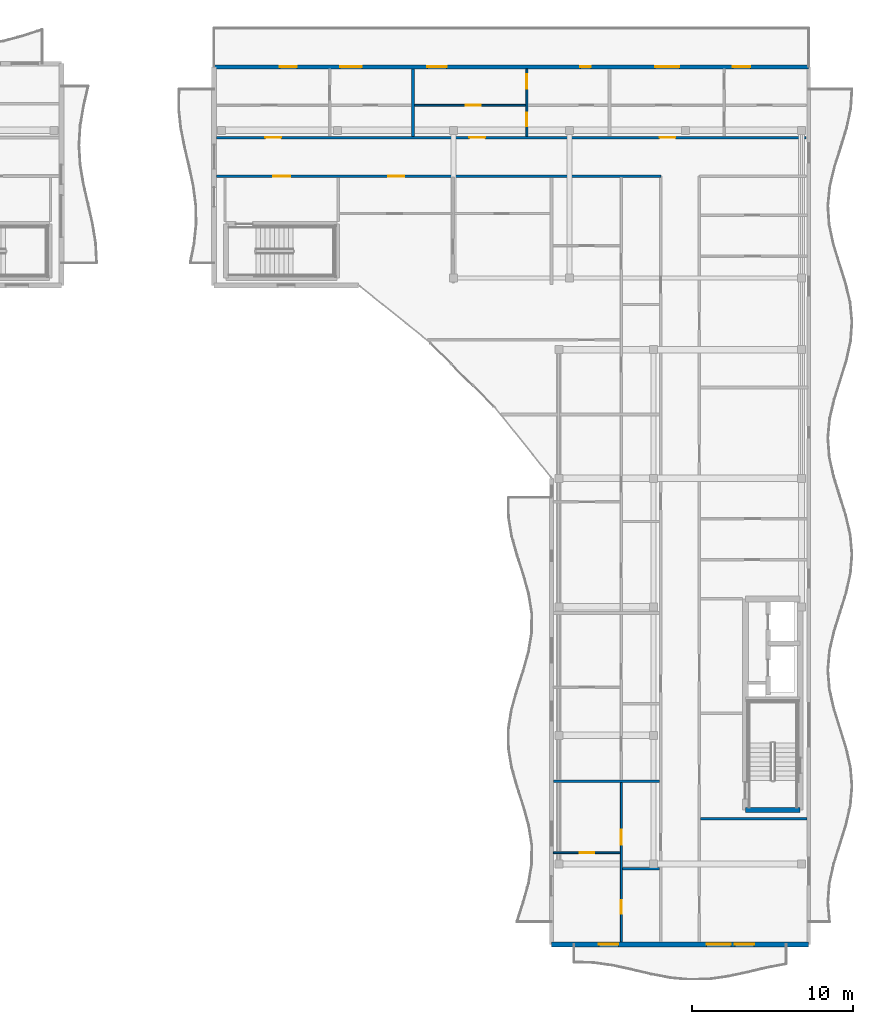
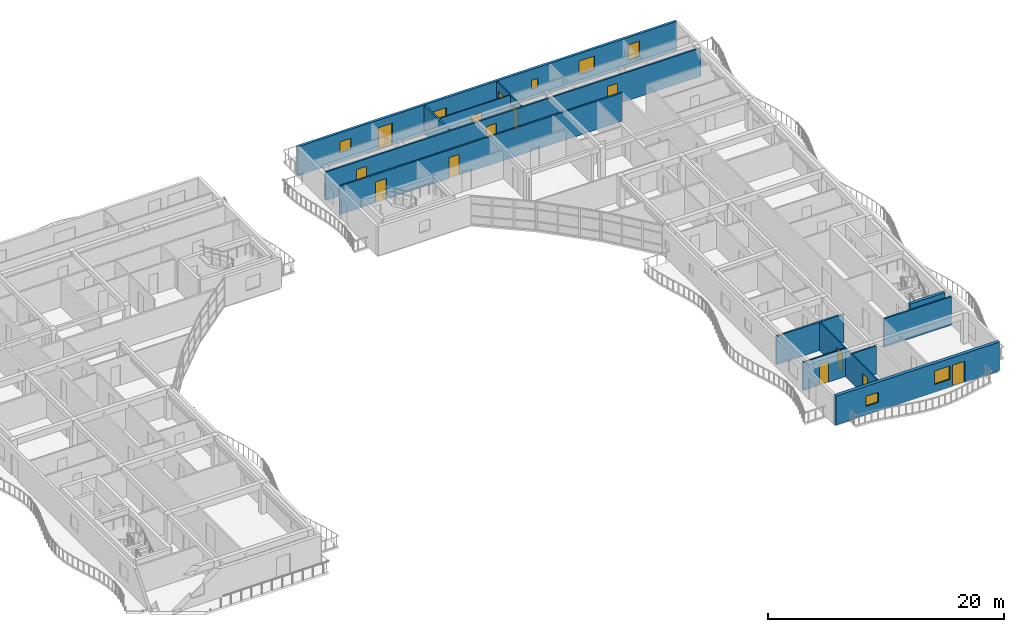
# One storey, part 25 of 39: 13 doors, 13 walls, 7 windows, 20 openings.
"""IFC4 building model written with IfcOpenShell, lengths in metres."""

from ifc_helpers import new_model, si_unit, direction, frame, frame_2d, origin, place, context, subcontext, project, spatial, rectangle, extrude, material, layer, layer_set, type_object, element, fill, save


model = new_model("IFC4")

# Units and contexts
model_context = context("Model", 3, precision=1e-05, world=origin(), true_north=direction((0.0, 1.0)))
body_context = subcontext(model_context, "Body", "Model", "MODEL_VIEW")
ifc_project = project(units=[si_unit("LENGTHUNIT", "METRE"), si_unit("AREAUNIT", "SQUARE_METRE"), si_unit("VOLUMEUNIT", "CUBIC_METRE"), si_unit("PLANEANGLEUNIT", "RADIAN"), si_unit("MASSUNIT", "GRAM", prefix="KILO")], contexts=[model_context])

# Site, building, storey
site_placement = place(None, origin())
site = spatial("IfcSite", under=ifc_project, at=site_placement, CompositionType="ELEMENT")
building_placement = place(site_placement, origin())
building = spatial("IfcBuilding", under=site, at=building_placement, Name="Keldmere Railside Commons", CompositionType="ELEMENT")
storey_placement = place(building_placement, frame((0.0, 0.0, 32.9599609375)))
storey = spatial("IfcBuildingStorey", under=building, at=storey_placement, Name="L10", CompositionType="ELEMENT", Elevation=32.9599609375)

# Walls
ifc_material_1 = material(Name="Acoustic Gypsum Board Partition", Category="gypsum")
ifc_layer_1 = layer(ifc_material_1, 0.179931640625, Name="Acoustic Demising Partition 180")
ifc_layer_set_1 = layer_set([ifc_layer_1], Name="Acoustic Gypsum Board Partition")
wall_type_1 = type_object("IfcWallType", Name="Acoustic Demising Partition 180", PredefinedType="PARTITIONING", material=ifc_layer_set_1)
wall_1_placement = place(storey_placement, frame((168.1201171875, 69.14990234375, 0.0), z_axis=(0.0, 0.0, 1.0), x_axis=(1.0, 0.0, 0.0)))
element("IfcWall", 1, at=wall_1_placement, inside=storey, type_object=wall_type_1, Name="IW-1 IW-L10-1815", PredefinedType="PARTITIONING", context=body_context, shape_type="SweptSolid", body=[
    extrude(rectangle(XDim=6.599853515625, YDim=0.179931640625, at=frame_2d((3.2998046875, 0.0))), origin(), (0.0, 0.0, 1.0), 2.93505859375),
])
wall_2_placement = place(storey_placement, frame((159.389892578125, 109.280029296875, 0.0), z_axis=(0.0, 0.0, 1.0), x_axis=(0.0, 1.0, 0.0)))
element("IfcWall", 2, at=wall_2_placement, inside=storey, type_object=wall_type_1, Name="IW-1 IW-L10-1831", PredefinedType="PARTITIONING", context=body_context, shape_type="SweptSolid", body=[
    extrude(rectangle(XDim=4.199951171875, YDim=0.179931640625, at=frame_2d((2.10009765625, 0.0))), origin(), (0.0, 0.0, 1.0), 2.93505859375),
])

# Wall, openings, doors
ifc_layer_2 = layer(ifc_material_1, 0.1201171875, Name="Apartment Interior Partition 120")
ifc_layer_set_2 = layer_set([ifc_layer_2], Name="Acoustic Gypsum Board Partition")
wall_type_2 = type_object("IfcWallType", Name="Apartment Interior Partition 120", PredefinedType="PARTITIONING", material=ifc_layer_set_2)
wall_3_placement = place(storey_placement, frame((172.340087890625, 59.159912109375, 0.0), z_axis=(0.0, 0.0, 1.0), x_axis=(0.0, 1.0, 0.0)))
wall_3 = element("IfcWall", 3, at=wall_3_placement, inside=storey, type_object=wall_type_2, Name="IW-4 IW-L10-1818", PredefinedType="PARTITIONING", context=body_context, shape_type="SweptSolid", body=[
    extrude(rectangle(XDim=9.900146484375, YDim=0.1201171875, at=frame_2d((4.9501953125, 0.0))), origin(), (0.0, 0.0, 1.0), 2.93505859375),
])
opening_1_placement = place(wall_3_placement, frame((1.72900390625, 0.0, 0.0)))
opening_1 = element("IfcOpeningElement", 4, at=opening_1_placement, cuts=wall_3, Name="Opening ID-04", PredefinedType="OPENING", context=body_context, shape_type="SweptSolid", body=[
    extrude(rectangle(XDim=0.860107421875, YDim=2.10009765625, at=frame_2d((0.43017578125, 1.050048828125))), frame((0.0, 0.070068359375, 0.0), z_axis=(0.0, -1.0, 0.0), x_axis=(1.0, 0.0, 0.0)), (0.0, 0.0, 1.0), 0.14013671875),
])
opening_2_placement = place(wall_3_placement, frame((6.048095703125, 0.0, 0.0)))
opening_2 = element("IfcOpeningElement", 5, at=opening_2_placement, cuts=wall_3, Name="Opening ID-03", PredefinedType="OPENING", context=body_context, shape_type="SweptSolid", body=[
    extrude(rectangle(XDim=0.919921875, YDim=2.10009765625, at=frame_2d((0.4599609375, 1.050048828125))), frame((0.0, 0.070068359375, 0.0), z_axis=(0.0, -1.0, 0.0), x_axis=(1.0, 0.0, 0.0)), (0.0, 0.0, 1.0), 0.14013671875),
])
ifc_material_2 = material(Name="Engineered Oak Timber", Category="wood")
door_type_1 = type_object("IfcDoorType", Name="Apartment Bathroom Door 860x2100", OperationType="NOTDEFINED", PredefinedType="DOOR", material=ifc_material_2)
door_1_placement = place(opening_1_placement, origin())
door_1 = element("IfcDoor", 6, at=door_1_placement, inside=storey, type_object=door_type_1, Name="ID-04 IDR-L10-1656", OperationType="SINGLE_SWING_RIGHT", OverallHeight=2.10009765625, OverallWidth=0.860107421875, PredefinedType="DOOR", context=body_context, shape_type="SweptSolid", body=[
    extrude(rectangle(XDim=0.860107421875, YDim=2.10009765625, at=frame_2d((0.43017578125, 1.050048828125))), frame((0.0, 0.02490234375, 0.0), z_axis=(0.0, -1.0, 0.0), x_axis=(1.0, 0.0, 0.0)), (0.0, 0.0, 1.0), 0.050048828125),
])
fill(opening_1, door_1)
door_type_2 = type_object("IfcDoorType", Name="Kitchen Pocket-Frame Swing Door 920x2100", OperationType="NOTDEFINED", PredefinedType="DOOR", material=ifc_material_2)
door_2_placement = place(opening_2_placement, origin())
door_2 = element("IfcDoor", 7, at=door_2_placement, inside=storey, type_object=door_type_2, Name="ID-03 IDR-L10-1657", OperationType="SINGLE_SWING_LEFT", OverallHeight=2.10009765625, OverallWidth=0.919921875, PredefinedType="DOOR", context=body_context, shape_type="SweptSolid", body=[
    extrude(rectangle(XDim=0.919921875, YDim=2.10009765625, at=frame_2d((0.4599609375, 1.050048828125))), frame((0.0, 0.02490234375, 0.0), z_axis=(0.0, -1.0, 0.0), x_axis=(1.0, 0.0, 0.0)), (0.0, 0.0, 1.0), 0.050048828125),
])
fill(opening_2, door_2)

# Wall, opening, door
wall_4_placement = place(storey_placement, frame((168.1201171875, 64.699951171875, 0.0), z_axis=(0.0, 0.0, 1.0), x_axis=(1.0, 0.0, 0.0)))
wall_4 = element("IfcWall", 8, at=wall_4_placement, inside=storey, type_object=wall_type_2, Name="IW-4 IW-L10-1820", PredefinedType="PARTITIONING", context=body_context, shape_type="SweptSolid", body=[
    extrude(rectangle(XDim=4.159912109375, YDim=0.1201171875, at=frame_2d((2.080078125, 0.0))), origin(), (0.0, 0.0, 1.0), 2.93505859375),
])
opening_3_placement = place(wall_4_placement, frame((1.6298828125, 0.0, 0.0)))
opening_3 = element("IfcOpeningElement", 9, at=opening_3_placement, cuts=wall_4, Name="Opening ID-01", PredefinedType="OPENING", context=body_context, shape_type="SweptSolid", body=[
    extrude(rectangle(XDim=0.89990234375, YDim=2.10009765625, at=frame_2d((0.449951171875, 1.050048828125))), frame((0.0, 0.070068359375, 0.0), z_axis=(0.0, -1.0, 0.0), x_axis=(1.0, 0.0, 0.0)), (0.0, 0.0, 1.0), 0.14013671875),
])
door_type_3 = type_object("IfcDoorType", Name="Primary Bedroom Door 900x2100", OperationType="NOTDEFINED", PredefinedType="DOOR", material=ifc_material_2)
door_3_placement = place(opening_3_placement, origin())
door_3 = element("IfcDoor", 10, at=door_3_placement, inside=storey, type_object=door_type_3, Name="ID-01 IDR-L10-1659", OperationType="SINGLE_SWING_LEFT", OverallHeight=2.10009765625, OverallWidth=0.89990234375, PredefinedType="DOOR", context=body_context, shape_type="SweptSolid", body=[
    extrude(rectangle(XDim=0.89990234375, YDim=2.10009765625, at=frame_2d((0.449951171875, 1.050048828125))), frame((0.0, 0.02490234375, 0.0), z_axis=(0.0, -1.0, 0.0), x_axis=(1.0, 0.0, 0.0)), (0.0, 0.0, 1.0), 0.050048828125),
])
fill(opening_3, door_3)

# Wall, openings, doors
wall_5_placement = place(storey_placement, frame((166.4599609375, 109.280029296875, 0.0), z_axis=(0.0, 0.0, 1.0), x_axis=(0.0, 1.0, 0.0)))
wall_5 = element("IfcWall", 11, at=wall_5_placement, inside=storey, type_object=wall_type_2, Name="IW-4 IW-L10-1836", PredefinedType="PARTITIONING", context=body_context, shape_type="SweptSolid", body=[
    extrude(rectangle(XDim=4.199951171875, YDim=0.1201171875, at=frame_2d((2.10009765625, 0.0))), origin(), (0.0, 0.0, 1.0), 2.93505859375),
])
opening_4_placement = place(wall_5_placement, frame((0.61767578125, 0.0, 0.0)))
opening_4 = element("IfcOpeningElement", 12, at=opening_4_placement, cuts=wall_5, Name="Opening ID-04", PredefinedType="OPENING", context=body_context, shape_type="SweptSolid", body=[
    extrude(rectangle(XDim=0.860107421875, YDim=2.10009765625, at=frame_2d((0.43017578125, 1.050048828125))), frame((0.0, 0.070068359375, 0.0), z_axis=(0.0, -1.0, 0.0), x_axis=(1.0, 0.0, 0.0)), (0.0, 0.0, 1.0), 0.14013671875),
])
opening_5_placement = place(wall_5_placement, frame((2.951416015625, 0.0, 0.0)))
opening_5 = element("IfcOpeningElement", 13, at=opening_5_placement, cuts=wall_5, Name="Opening ID-01", PredefinedType="OPENING", context=body_context, shape_type="SweptSolid", body=[
    extrude(rectangle(XDim=0.89990234375, YDim=2.10009765625, at=frame_2d((0.449951171875, 1.050048828125))), frame((0.0, 0.070068359375, 0.0), z_axis=(0.0, -1.0, 0.0), x_axis=(1.0, 0.0, 0.0)), (0.0, 0.0, 1.0), 0.14013671875),
])
door_4_placement = place(opening_4_placement, origin())
door_4 = element("IfcDoor", 14, at=door_4_placement, inside=storey, type_object=door_type_1, Name="ID-04 IDR-L10-1679", OperationType="SINGLE_SWING_LEFT", OverallHeight=2.10009765625, OverallWidth=0.860107421875, PredefinedType="DOOR", context=body_context, shape_type="SweptSolid", body=[
    extrude(rectangle(XDim=0.860107421875, YDim=2.10009765625, at=frame_2d((0.43017578125, 1.050048828125))), frame((0.0, 0.02490234375, 0.0), z_axis=(0.0, -1.0, 0.0), x_axis=(1.0, 0.0, 0.0)), (0.0, 0.0, 1.0), 0.050048828125),
])
fill(opening_4, door_4)
door_5_placement = place(opening_5_placement, origin())
door_5 = element("IfcDoor", 15, at=door_5_placement, inside=storey, type_object=door_type_3, Name="ID-01 IDR-L10-1680", OperationType="SINGLE_SWING_RIGHT", OverallHeight=2.10009765625, OverallWidth=0.89990234375, PredefinedType="DOOR", context=body_context, shape_type="SweptSolid", body=[
    extrude(rectangle(XDim=0.89990234375, YDim=2.10009765625, at=frame_2d((0.449951171875, 1.050048828125))), frame((0.0, 0.02490234375, 0.0), z_axis=(0.0, -1.0, 0.0), x_axis=(1.0, 0.0, 0.0)), (0.0, 0.0, 1.0), 0.050048828125),
])
fill(opening_5, door_5)

# Wall, opening, door
ifc_layer_3 = layer(ifc_material_1, 0.10009765625, Name="Closet Light Partition 100")
ifc_layer_set_3 = layer_set([ifc_layer_3], Name="Acoustic Gypsum Board Partition")
wall_type_3 = type_object("IfcWallType", Name="Closet Light Partition 100", PredefinedType="PARTITIONING", material=ifc_layer_set_3)
wall_6_placement = place(storey_placement, frame((159.47998046875, 111.2099609375, 0.0), z_axis=(0.0, 0.0, 1.0), x_axis=(1.0, 0.0, 0.0)))
wall_6 = element("IfcWall", 16, at=wall_6_placement, inside=storey, type_object=wall_type_3, Name="IW-6 IW-L10-1838", PredefinedType="PARTITIONING", context=body_context, shape_type="SweptSolid", body=[
    extrude(rectangle(XDim=6.919921875, YDim=0.10009765625, at=frame_2d((3.4599609375, 0.0))), origin(), (0.0, 0.0, 1.0), 2.93505859375),
])
opening_6_placement = place(wall_6_placement, frame((3.19189453125, 0.0, 0.0)))
opening_6 = element("IfcOpeningElement", 17, at=opening_6_placement, cuts=wall_6, Name="Opening ID-03", PredefinedType="OPENING", context=body_context, shape_type="SweptSolid", body=[
    extrude(rectangle(XDim=0.919921875, YDim=2.10009765625, at=frame_2d((0.4599609375, 1.050048828125))), frame((0.0, 0.06005859375, 0.0), z_axis=(0.0, -1.0, 0.0), x_axis=(1.0, 0.0, 0.0)), (0.0, 0.0, 1.0), 0.1201171875),
])
door_6_placement = place(opening_6_placement, origin())
door_6 = element("IfcDoor", 18, at=door_6_placement, inside=storey, type_object=door_type_2, Name="ID-03 IDR-L10-1678", OperationType="SINGLE_SWING_RIGHT", OverallHeight=2.10009765625, OverallWidth=0.919921875, PredefinedType="DOOR", context=body_context, shape_type="SweptSolid", body=[
    extrude(rectangle(XDim=0.919921875, YDim=2.10009765625, at=frame_2d((0.4599609375, 1.050048828125))), frame((0.0, 0.02490234375, 0.0), z_axis=(0.0, -1.0, 0.0), x_axis=(1.0, 0.0, 0.0)), (0.0, 0.0, 1.0), 0.050048828125),
])
fill(opening_6, door_6)

# Wall, openings, doors
ifc_layer_4 = layer(ifc_material_1, 0.159912109375, Name="Corridor Fire Partition 160")
ifc_layer_set_4 = layer_set([ifc_layer_4], Name="Acoustic Gypsum Board Partition")
wall_type_4 = type_object("IfcWallType", Name="Corridor Fire Partition 160", PredefinedType="PARTITIONING", material=ifc_layer_set_4)
wall_7_placement = place(storey_placement, frame((147.159912109375, 106.800048828125, 0.0), z_axis=(0.0, 0.0, 1.0), x_axis=(1.0, 0.0, 0.0)))
wall_7 = element("IfcWall", 19, at=wall_7_placement, inside=storey, type_object=wall_type_4, Name="IW-2 IW-L10-1809", PredefinedType="PARTITIONING", context=body_context, shape_type="SweptSolid", body=[
    extrude(rectangle(XDim=27.64013671875, YDim=0.159912109375, at=frame_2d((13.820068359375, 0.0))), origin(), (0.0, 0.0, 1.0), 2.93505859375),
])
opening_7_placement = place(wall_7_placement, frame((3.514892578125, 0.0, 0.0)))
opening_7 = element("IfcOpeningElement", 20, at=opening_7_placement, cuts=wall_7, Name="Opening FD-1", PredefinedType="OPENING", context=body_context, shape_type="SweptSolid", body=[
    extrude(rectangle(XDim=1.050048828125, YDim=2.14990234375, at=frame_2d((0.52490234375, 1.074951171875))), frame((0.0, 0.08984375, 0.0), z_axis=(0.0, -1.0, 0.0), x_axis=(1.0, 0.0, 0.0)), (0.0, 0.0, 1.0), 0.179931640625),
])
opening_8_placement = place(wall_7_placement, frame((10.68994140625, 0.0, 0.0)))
opening_8 = element("IfcOpeningElement", 21, at=opening_8_placement, cuts=wall_7, Name="Opening FD-7", PredefinedType="OPENING", context=body_context, shape_type="SweptSolid", body=[
    extrude(rectangle(XDim=0.97998046875, YDim=2.14990234375, at=frame_2d((0.489990234375, 1.074951171875))), frame((0.0, 0.08984375, 0.0), z_axis=(0.0, -1.0, 0.0), x_axis=(1.0, 0.0, 0.0)), (0.0, 0.0, 1.0), 0.179931640625),
])
door_type_4 = type_object("IfcDoorType", Name="Apartment Entrance Acoustic Fire Door 980x2150", OperationType="NOTDEFINED", PredefinedType="DOOR", material=ifc_material_2)
door_7_placement = place(opening_8_placement, origin())
door_7 = element("IfcDoor", 22, at=door_7_placement, inside=storey, type_object=door_type_4, Name="FD-7 IDR-L10-1687", OperationType="SINGLE_SWING_LEFT", OverallHeight=2.14990234375, OverallWidth=0.97998046875, PredefinedType="DOOR", context=body_context, shape_type="SweptSolid", body=[
    extrude(rectangle(XDim=0.97998046875, YDim=2.14990234375, at=frame_2d((0.489990234375, 1.074951171875))), frame((0.0, 0.02490234375, 0.0), z_axis=(0.0, -1.0, 0.0), x_axis=(1.0, 0.0, 0.0)), (0.0, 0.0, 1.0), 0.050048828125),
])
fill(opening_8, door_7)
ifc_material_3 = material(Name="Steel F-24 (S235)", Category="steel")
door_type_5 = type_object("IfcDoorType", Name="Stair Core Fire Door 1050x2150", OperationType="NOTDEFINED", PredefinedType="DOOR", material=ifc_material_3)
door_8_placement = place(opening_7_placement, origin())
door_8 = element("IfcDoor", 23, at=door_8_placement, inside=storey, type_object=door_type_5, Name="FD-1 IDR-L10-1653", OperationType="SINGLE_SWING_LEFT", OverallHeight=2.14990234375, OverallWidth=1.050048828125, PredefinedType="DOOR", context=body_context, shape_type="SweptSolid", body=[
    extrude(rectangle(XDim=1.050048828125, YDim=2.14990234375, at=frame_2d((0.52490234375, 1.074951171875))), frame((0.0, 0.02490234375, 0.0), z_axis=(0.0, -1.0, 0.0), x_axis=(1.0, 0.0, 0.0)), (0.0, 0.0, 1.0), 0.050048828125),
])
fill(opening_7, door_8)

wall_8_placement = place(storey_placement, frame((147.159912109375, 109.199951171875, 0.0), z_axis=(0.0, 0.0, 1.0), x_axis=(1.0, 0.0, 0.0)))
wall_8 = element("IfcWall", 24, at=wall_8_placement, inside=storey, type_object=wall_type_4, Name="IW-2 IW-L10-1811", PredefinedType="PARTITIONING", context=body_context, shape_type="SweptSolid", body=[
    extrude(rectangle(XDim=36.68017578125, YDim=0.159912109375, at=frame_2d((18.340087890625, 0.0))), origin(), (0.0, 0.0, 1.0), 2.93505859375),
])
opening_9_placement = place(wall_8_placement, frame((3.030029296875, 0.0, 0.0)))
opening_9 = element("IfcOpeningElement", 25, at=opening_9_placement, cuts=wall_8, Name="Opening FD-7", PredefinedType="OPENING", context=body_context, shape_type="SweptSolid", body=[
    extrude(rectangle(XDim=0.97998046875, YDim=2.14990234375, at=frame_2d((0.489990234375, 1.074951171875))), frame((0.0, 0.08984375, 0.0), z_axis=(0.0, -1.0, 0.0), x_axis=(1.0, 0.0, 0.0)), (0.0, 0.0, 1.0), 0.179931640625),
])
opening_10_placement = place(wall_8_placement, frame((15.719970703125, 0.0, 0.0)))
opening_10 = element("IfcOpeningElement", 26, at=opening_10_placement, cuts=wall_8, Name="Opening FD-7", PredefinedType="OPENING", context=body_context, shape_type="SweptSolid", body=[
    extrude(rectangle(XDim=0.97998046875, YDim=2.14990234375, at=frame_2d((0.489990234375, 1.074951171875))), frame((0.0, 0.08984375, 0.0), z_axis=(0.0, -1.0, 0.0), x_axis=(1.0, 0.0, 0.0)), (0.0, 0.0, 1.0), 0.179931640625),
])
opening_11_placement = place(wall_8_placement, frame((27.570068359375, 0.0, 0.0)))
opening_11 = element("IfcOpeningElement", 27, at=opening_11_placement, cuts=wall_8, Name="Opening FD-7", PredefinedType="OPENING", context=body_context, shape_type="SweptSolid", body=[
    extrude(rectangle(XDim=0.97998046875, YDim=2.14990234375, at=frame_2d((0.489990234375, 1.074951171875))), frame((0.0, 0.08984375, 0.0), z_axis=(0.0, -1.0, 0.0), x_axis=(1.0, 0.0, 0.0)), (0.0, 0.0, 1.0), 0.179931640625),
])
door_9_placement = place(opening_9_placement, origin())
door_9 = element("IfcDoor", 28, at=door_9_placement, inside=storey, type_object=door_type_4, Name="FD-7 IDR-L10-1673", OperationType="SINGLE_SWING_LEFT", OverallHeight=2.14990234375, OverallWidth=0.97998046875, PredefinedType="DOOR", context=body_context, shape_type="SweptSolid", body=[
    extrude(rectangle(XDim=0.97998046875, YDim=2.14990234375, at=frame_2d((0.489990234375, 1.074951171875))), frame((0.0, 0.02490234375, 0.0), z_axis=(0.0, -1.0, 0.0), x_axis=(1.0, 0.0, 0.0)), (0.0, 0.0, 1.0), 0.050048828125),
])
fill(opening_9, door_9)
door_10_placement = place(opening_10_placement, origin())
door_10 = element("IfcDoor", 29, at=door_10_placement, inside=storey, type_object=door_type_4, Name="FD-7 IDR-L10-1677", OperationType="SINGLE_SWING_LEFT", OverallHeight=2.14990234375, OverallWidth=0.97998046875, PredefinedType="DOOR", context=body_context, shape_type="SweptSolid", body=[
    extrude(rectangle(XDim=0.97998046875, YDim=2.14990234375, at=frame_2d((0.489990234375, 1.074951171875))), frame((0.0, 0.02490234375, 0.0), z_axis=(0.0, -1.0, 0.0), x_axis=(1.0, 0.0, 0.0)), (0.0, 0.0, 1.0), 0.050048828125),
])
fill(opening_10, door_10)
door_11_placement = place(opening_11_placement, origin())
door_11 = element("IfcDoor", 30, at=door_11_placement, inside=storey, type_object=door_type_4, Name="FD-7 IDR-L10-1682", OperationType="SINGLE_SWING_RIGHT", OverallHeight=2.14990234375, OverallWidth=0.97998046875, PredefinedType="DOOR", context=body_context, shape_type="SweptSolid", body=[
    extrude(rectangle(XDim=0.97998046875, YDim=2.14990234375, at=frame_2d((0.489990234375, 1.074951171875))), frame((0.0, 0.02490234375, 0.0), z_axis=(0.0, -1.0, 0.0), x_axis=(1.0, 0.0, 0.0)), (0.0, 0.0, 1.0), 0.050048828125),
])
fill(opening_11, door_11)

# Wall, openings, windows, door
ifc_material_4 = material(Name="Concrete H-35 (C35/45)", Category="concrete")
ifc_layer_5 = layer(ifc_material_4, 0.320068359375, Name="Exterior Shear Wall 320")
ifc_layer_set_5 = layer_set([ifc_layer_5], Name="Concrete H-35 (C35/45)")
wall_type_5 = type_object("IfcWallType", Name="Exterior Shear Wall 320", PredefinedType="SHEAR", material=ifc_layer_set_5)
wall_9_placement = place(storey_placement, frame((184.0, 59.0, 0.0), z_axis=(0.0, 0.0, 1.0), x_axis=(-1.0, 0.0, 0.0)))
wall_9 = element("IfcWall", 31, at=wall_9_placement, inside=storey, type_object=wall_type_5, Name="ESW-2 EXTA-L10-0945", PredefinedType="SHEAR", context=body_context, shape_type="SweptSolid", body=[
    extrude(rectangle(XDim=16.0, YDim=0.320068359375, at=frame_2d((8.0, 0.0))), origin(), (0.0, 0.0, 1.0), 2.97998046875),
])
opening_12_placement = place(wall_9_placement, frame((3.39990234375, 0.0, 0.0)))
opening_12 = element("IfcOpeningElement", 32, at=opening_12_placement, cuts=wall_9, Name="Opening BD-01", PredefinedType="OPENING", context=body_context, shape_type="SweptSolid", body=[
    extrude(rectangle(XDim=1.199951171875, YDim=2.199951171875, at=frame_2d((0.60009765625, 1.10009765625))), frame((0.0, 0.169921875, 0.0), z_axis=(0.0, -1.0, 0.0), x_axis=(1.0, 0.0, 0.0)), (0.0, 0.0, 1.0), 0.340087890625),
])
opening_13_placement = place(wall_9_placement, frame((4.85009765625, 0.0, 0.820068359375)))
opening_13 = element("IfcOpeningElement", 33, at=opening_13_placement, cuts=wall_9, Name="Opening WN-06", PredefinedType="OPENING", context=body_context, shape_type="SweptSolid", body=[
    extrude(rectangle(XDim=1.5, YDim=1.39990234375, at=frame_2d((0.75, 0.699951171875))), frame((0.0, 0.169921875, 0.0), z_axis=(0.0, -1.0, 0.0), x_axis=(1.0, 0.0, 0.0)), (0.0, 0.0, 1.0), 0.340087890625),
])
opening_14_placement = place(wall_9_placement, frame((11.85009765625, 0.0, 0.89990234375)))
opening_14 = element("IfcOpeningElement", 34, at=opening_14_placement, cuts=wall_9, Name="Opening WN-14", PredefinedType="OPENING", context=body_context, shape_type="SweptSolid", body=[
    extrude(rectangle(XDim=1.199951171875, YDim=1.050048828125, at=frame_2d((0.60009765625, 0.52490234375))), frame((0.0, 0.169921875, 0.0), z_axis=(0.0, -1.0, 0.0), x_axis=(1.0, 0.0, 0.0)), (0.0, 0.0, 1.0), 0.340087890625),
])
ifc_material_5 = material(Name="Low-E Insulated Double Glazing", Category="glass")
window_type_1 = type_object("IfcWindowType", Name="Apartment Kitchen Ribbon Window 1200x1050", PartitioningType="SINGLE_PANEL", PredefinedType="WINDOW", material=ifc_material_5)
window_1_placement = place(opening_14_placement, origin())
window_1 = element("IfcWindow", 35, at=window_1_placement, inside=storey, type_object=window_type_1, Name="WN-14 WIN-L10-0757", OverallHeight=1.050048828125, OverallWidth=1.199951171875, PartitioningType="SINGLE_PANEL", PredefinedType="WINDOW", context=body_context, shape_type="SweptSolid", body=[
    extrude(rectangle(XDim=1.199951171875, YDim=1.050048828125, at=frame_2d((0.60009765625, 0.52490234375))), frame((0.0, 0.030029296875, 0.0), z_axis=(0.0, -1.0, 0.0), x_axis=(1.0, 0.0, 0.0)), (0.0, 0.0, 1.0), 0.06005859375),
])
fill(opening_14, window_1)
ifc_material_6 = material(Name="Thermally Broken Aluminium", Category="aluminium")
door_type_6 = type_object("IfcDoorType", Name="Apartment Living Wave-Balcony Glazed Door 1200x2200", OperationType="NOTDEFINED", PredefinedType="DOOR", material=ifc_material_6)
door_12_placement = place(opening_12_placement, origin())
door_12 = element("IfcDoor", 36, at=door_12_placement, inside=storey, type_object=door_type_6, Name="BD-01 DR-L10-0274", OperationType="SINGLE_SWING_RIGHT", OverallHeight=2.199951171875, OverallWidth=1.199951171875, PredefinedType="DOOR", context=body_context, shape_type="SweptSolid", body=[
    extrude(rectangle(XDim=1.199951171875, YDim=2.199951171875, at=frame_2d((0.60009765625, 1.10009765625))), frame((0.0, 0.02490234375, 0.0), z_axis=(0.0, -1.0, 0.0), x_axis=(1.0, 0.0, 0.0)), (0.0, 0.0, 1.0), 0.050048828125),
])
fill(opening_12, door_12)
window_type_2 = type_object("IfcWindowType", Name="Primary Bedroom North Window 1500x1400", PartitioningType="SINGLE_PANEL", PredefinedType="WINDOW", material=ifc_material_5)
window_2_placement = place(opening_13_placement, origin())
window_2 = element("IfcWindow", 37, at=window_2_placement, inside=storey, type_object=window_type_2, Name="WN-06 WIN-L10-0756", OverallHeight=1.39990234375, OverallWidth=1.5, PartitioningType="SINGLE_PANEL", PredefinedType="WINDOW", context=body_context, shape_type="SweptSolid", body=[
    extrude(rectangle(XDim=1.5, YDim=1.39990234375, at=frame_2d((0.75, 0.699951171875))), frame((0.0, 0.030029296875, 0.0), z_axis=(0.0, -1.0, 0.0), x_axis=(1.0, 0.0, 0.0)), (0.0, 0.0, 1.0), 0.06005859375),
])
fill(opening_13, window_2)

# Walls
ifc_layer_6 = layer(ifc_material_4, 0.300048828125, Name="Interior Shear Wall 300")
ifc_layer_set_6 = layer_set([ifc_layer_6], Name="Concrete H-35 (C35/45)")
wall_type_6 = type_object("IfcWallType", Name="Interior Shear Wall 300", PredefinedType="SHEAR", material=ifc_layer_set_6)
wall_10_placement = place(storey_placement, frame((183.469970703125, 67.35009765625, 0.0), z_axis=(0.0, 0.0, 1.0), x_axis=(-1.0, 0.0, 0.0)))
element("IfcWall", 38, at=wall_10_placement, inside=storey, type_object=wall_type_6, Name="ISW-2 COREAS-L10-0831", PredefinedType="SHEAR", context=body_context, shape_type="SweptSolid", body=[
    extrude(rectangle(XDim=3.409912109375, YDim=0.300048828125, at=frame_2d((1.705078125, 0.0))), origin(), (0.0, 0.0, 1.0), 3.199951171875),
])
ifc_layer_7 = layer(ifc_material_1, 0.14990234375, Name="Lobby Rated Partition 150")
ifc_layer_set_7 = layer_set([ifc_layer_7], Name="Acoustic Gypsum Board Partition")
wall_type_7 = type_object("IfcWallType", Name="Lobby Rated Partition 150", PredefinedType="PARTITIONING", material=ifc_layer_set_7)
wall_11_placement = place(storey_placement, frame((177.280029296875, 66.820068359375, 0.0), z_axis=(0.0, 0.0, 1.0), x_axis=(1.0, 0.0, 0.0)))
element("IfcWall", 39, at=wall_11_placement, inside=storey, type_object=wall_type_7, Name="IW-3 IW-L10-1804", PredefinedType="PARTITIONING", context=body_context, shape_type="SweptSolid", body=[
    extrude(rectangle(XDim=6.599853515625, YDim=0.14990234375, at=frame_2d((3.2998046875, 0.0))), origin(), (0.0, 0.0, 1.0), 2.93505859375),
])

# Wall, openings, windows, door
ifc_material_7 = material(Name="Architectural Precast Concrete H-35 (C35/45)", Category="concrete")
ifc_layer_8 = layer(ifc_material_7, 0.239990234375, Name="Sand-Ochre Precast Cavity Wall 240")
ifc_layer_set_8 = layer_set([ifc_layer_8], Name="Architectural Precast Concrete H-35 (C35/45)")
wall_type_8 = type_object("IfcWallType", Name="Sand-Ochre Precast Cavity Wall 240", PredefinedType="SOLIDWALL", material=ifc_layer_set_8)
wall_12_placement = place(storey_placement, frame((147.0, 113.60009765625, 0.0), z_axis=(0.0, 0.0, 1.0), x_axis=(1.0, 0.0, 0.0)))
wall_12 = element("IfcWall", 40, at=wall_12_placement, inside=storey, type_object=wall_type_8, Name="EW-2 EXTA-L10-0947", PredefinedType="SOLIDWALL", context=body_context, shape_type="SweptSolid", body=[
    extrude(rectangle(XDim=37.0, YDim=0.239990234375, at=frame_2d((18.5, 0.0))), origin(), (0.0, 0.0, 1.0), 2.97998046875),
])
opening_15_placement = place(wall_12_placement, frame((7.85009765625, 0.0, 0.0)))
opening_15 = element("IfcOpeningElement", 41, at=opening_15_placement, cuts=wall_12, Name="Opening BD-03", PredefinedType="OPENING", context=body_context, shape_type="SweptSolid", body=[
    extrude(rectangle(XDim=1.35009765625, YDim=2.199951171875, at=frame_2d((0.675048828125, 1.10009765625))), frame((0.0, 0.1298828125, 0.0), z_axis=(0.0, -1.0, 0.0), x_axis=(1.0, 0.0, 0.0)), (0.0, 0.0, 1.0), 0.260009765625),
])
opening_16_placement = place(wall_12_placement, frame((4.10009765625, 0.0, 0.89990234375)))
opening_16 = element("IfcOpeningElement", 42, at=opening_16_placement, cuts=wall_12, Name="Opening WN-13", PredefinedType="OPENING", context=body_context, shape_type="SweptSolid", body=[
    extrude(rectangle(XDim=1.050048828125, YDim=1.14990234375, at=frame_2d((0.52490234375, 0.574951171875))), frame((0.0, 0.1298828125, 0.0), z_axis=(0.0, -1.0, 0.0), x_axis=(1.0, 0.0, 0.0)), (0.0, 0.0, 1.0), 0.260009765625),
])
opening_17_placement = place(wall_12_placement, frame((13.27490234375, 0.0, 0.89990234375)))
opening_17 = element("IfcOpeningElement", 43, at=opening_17_placement, cuts=wall_12, Name="Opening WN-14", PredefinedType="OPENING", context=body_context, shape_type="SweptSolid", body=[
    extrude(rectangle(XDim=1.199951171875, YDim=1.050048828125, at=frame_2d((0.60009765625, 0.52490234375))), frame((0.0, 0.1298828125, 0.0), z_axis=(0.0, -1.0, 0.0), x_axis=(1.0, 0.0, 0.0)), (0.0, 0.0, 1.0), 0.260009765625),
])
opening_18_placement = place(wall_12_placement, frame((22.800048828125, 0.0, 0.89990234375)))
opening_18 = element("IfcOpeningElement", 44, at=opening_18_placement, cuts=wall_12, Name="Opening WN-15", PredefinedType="OPENING", context=body_context, shape_type="SweptSolid", body=[
    extrude(rectangle(XDim=0.64990234375, YDim=0.949951171875, at=frame_2d((0.324951171875, 0.47509765625))), frame((0.0, 0.1298828125, 0.0), z_axis=(0.0, -1.0, 0.0), x_axis=(1.0, 0.0, 0.0)), (0.0, 0.0, 1.0), 0.260009765625),
])
opening_19_placement = place(wall_12_placement, frame((32.27490234375, 0.0, 0.6201171875)))
opening_19 = element("IfcOpeningElement", 45, at=opening_19_placement, cuts=wall_12, Name="Opening WN-16", PredefinedType="OPENING", context=body_context, shape_type="SweptSolid", body=[
    extrude(rectangle(XDim=1.10009765625, YDim=1.60009765625, at=frame_2d((0.550048828125, 0.800048828125))), frame((0.0, 0.1298828125, 0.0), z_axis=(0.0, -1.0, 0.0), x_axis=(1.0, 0.0, 0.0)), (0.0, 0.0, 1.0), 0.260009765625),
])
opening_20_placement = place(wall_12_placement, frame((27.445068359375, 0.0, 0.820068359375)))
opening_20 = element("IfcOpeningElement", 46, at=opening_20_placement, cuts=wall_12, Name="Opening WN-06", PredefinedType="OPENING", context=body_context, shape_type="SweptSolid", body=[
    extrude(rectangle(XDim=1.5, YDim=1.39990234375, at=frame_2d((0.75, 0.699951171875))), frame((0.0, 0.1298828125, 0.0), z_axis=(0.0, -1.0, 0.0), x_axis=(1.0, 0.0, 0.0)), (0.0, 0.0, 1.0), 0.260009765625),
])
window_type_3 = type_object("IfcWindowType", Name="Apartment Kitchen Casement Window 1050x1150", PartitioningType="SINGLE_PANEL", PredefinedType="WINDOW", material=ifc_material_5)
window_3_placement = place(opening_16_placement, origin())
window_3 = element("IfcWindow", 47, at=window_3_placement, inside=storey, type_object=window_type_3, Name="WN-13 WIN-L10-0763", OverallHeight=1.14990234375, OverallWidth=1.050048828125, PartitioningType="SINGLE_PANEL", PredefinedType="WINDOW", context=body_context, shape_type="SweptSolid", body=[
    extrude(rectangle(XDim=1.050048828125, YDim=1.14990234375, at=frame_2d((0.52490234375, 0.574951171875))), frame((0.0, 0.030029296875, 0.0), z_axis=(0.0, -1.0, 0.0), x_axis=(1.0, 0.0, 0.0)), (0.0, 0.0, 1.0), 0.06005859375),
])
fill(opening_16, window_3)
window_4_placement = place(opening_17_placement, origin())
window_4 = element("IfcWindow", 48, at=window_4_placement, inside=storey, type_object=window_type_1, Name="WN-14 WIN-L10-0764", OverallHeight=1.050048828125, OverallWidth=1.199951171875, PartitioningType="SINGLE_PANEL", PredefinedType="WINDOW", context=body_context, shape_type="SweptSolid", body=[
    extrude(rectangle(XDim=1.199951171875, YDim=1.050048828125, at=frame_2d((0.60009765625, 0.52490234375))), frame((0.0, 0.030029296875, 0.0), z_axis=(0.0, -1.0, 0.0), x_axis=(1.0, 0.0, 0.0)), (0.0, 0.0, 1.0), 0.06005859375),
])
fill(opening_17, window_4)
window_type_4 = type_object("IfcWindowType", Name="Corridor End Daylight Window 1100x1600", PartitioningType="SINGLE_PANEL", PredefinedType="WINDOW", material=ifc_material_5)
window_5_placement = place(opening_19_placement, origin())
window_5 = element("IfcWindow", 49, at=window_5_placement, inside=storey, type_object=window_type_4, Name="WN-16 WIN-L10-0766", OverallHeight=1.60009765625, OverallWidth=1.10009765625, PartitioningType="SINGLE_PANEL", PredefinedType="WINDOW", context=body_context, shape_type="SweptSolid", body=[
    extrude(rectangle(XDim=1.10009765625, YDim=1.60009765625, at=frame_2d((0.550048828125, 0.800048828125))), frame((0.0, 0.030029296875, 0.0), z_axis=(0.0, -1.0, 0.0), x_axis=(1.0, 0.0, 0.0)), (0.0, 0.0, 1.0), 0.06005859375),
])
fill(opening_19, window_5)
window_type_5 = type_object("IfcWindowType", Name="Exterior Bathroom Frosted Window 650x950", PartitioningType="SINGLE_PANEL", PredefinedType="WINDOW", material=ifc_material_5)
window_6_placement = place(opening_18_placement, origin())
window_6 = element("IfcWindow", 50, at=window_6_placement, inside=storey, type_object=window_type_5, Name="WN-15 WIN-L10-0765", OverallHeight=0.949951171875, OverallWidth=0.64990234375, PartitioningType="SINGLE_PANEL", PredefinedType="WINDOW", context=body_context, shape_type="SweptSolid", body=[
    extrude(rectangle(XDim=0.64990234375, YDim=0.949951171875, at=frame_2d((0.324951171875, 0.47509765625))), frame((0.0, 0.030029296875, 0.0), z_axis=(0.0, -1.0, 0.0), x_axis=(1.0, 0.0, 0.0)), (0.0, 0.0, 1.0), 0.06005859375),
])
fill(opening_18, window_6)
door_type_7 = type_object("IfcDoorType", Name="Planted Roof-Terrace Lounge Door 1350x2200", OperationType="NOTDEFINED", PredefinedType="DOOR", material=ifc_material_6)
door_13_placement = place(opening_15_placement, origin())
door_13 = element("IfcDoor", 51, at=door_13_placement, inside=storey, type_object=door_type_7, Name="BD-03 DR-L10-0276", OperationType="SINGLE_SWING_RIGHT", OverallHeight=2.199951171875, OverallWidth=1.35009765625, PredefinedType="DOOR", context=body_context, shape_type="SweptSolid", body=[
    extrude(rectangle(XDim=1.35009765625, YDim=2.199951171875, at=frame_2d((0.675048828125, 1.10009765625))), frame((0.0, 0.02490234375, 0.0), z_axis=(0.0, -1.0, 0.0), x_axis=(1.0, 0.0, 0.0)), (0.0, 0.0, 1.0), 0.050048828125),
])
fill(opening_15, door_13)
window_7_placement = place(opening_20_placement, origin())
window_7 = element("IfcWindow", 52, at=window_7_placement, inside=storey, type_object=window_type_2, Name="WN-06 WIN-L10-9079", OverallHeight=1.39990234375, OverallWidth=1.5, PartitioningType="SINGLE_PANEL", PredefinedType="WINDOW", context=body_context, shape_type="SweptSolid", body=[
    extrude(rectangle(XDim=1.5, YDim=1.39990234375, at=frame_2d((0.75, 0.699951171875))), frame((0.0, 0.030029296875, 0.0), z_axis=(0.0, -1.0, 0.0), x_axis=(1.0, 0.0, 0.0)), (0.0, 0.0, 1.0), 0.06005859375),
])
fill(opening_20, window_7)

# Wall
ifc_layer_9 = layer(ifc_material_1, 0.139892578125, Name="Wet-Room Sanitary Partition 140")
ifc_layer_set_9 = layer_set([ifc_layer_9], Name="Acoustic Gypsum Board Partition")
wall_type_9 = type_object("IfcWallType", Name="Wet-Room Sanitary Partition 140", PredefinedType="PARTITIONING", material=ifc_layer_set_9)
wall_13_placement = place(storey_placement, frame((172.39990234375, 63.7099609375, 0.0), z_axis=(0.0, 0.0, 1.0), x_axis=(1.0, 0.0, 0.0)))
element("IfcWall", 53, at=wall_13_placement, inside=storey, type_object=wall_type_9, Name="IW-5 IW-L10-1819", PredefinedType="PARTITIONING", context=body_context, shape_type="SweptSolid", body=[
    extrude(rectangle(XDim=2.320068359375, YDim=0.139892578125, at=frame_2d((1.16015625, 0.0))), origin(), (0.0, 0.0, 1.0), 2.93505859375),
])

save(model, "model.ifc")
